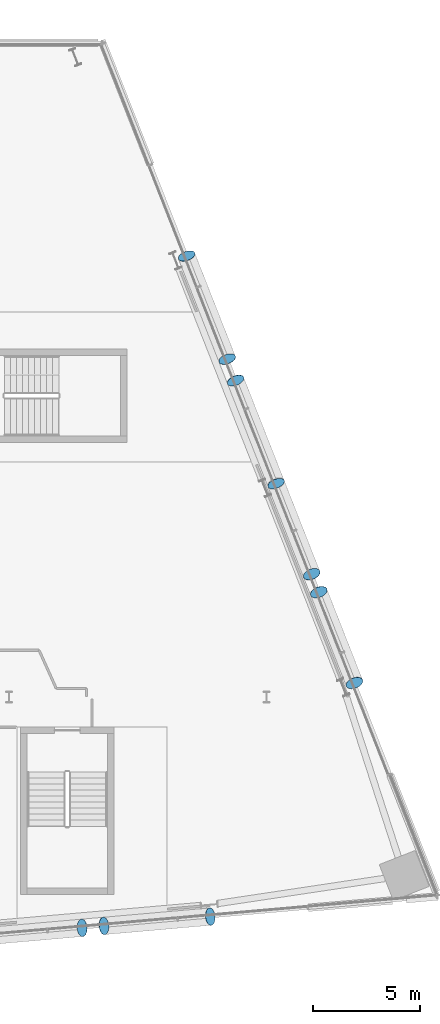
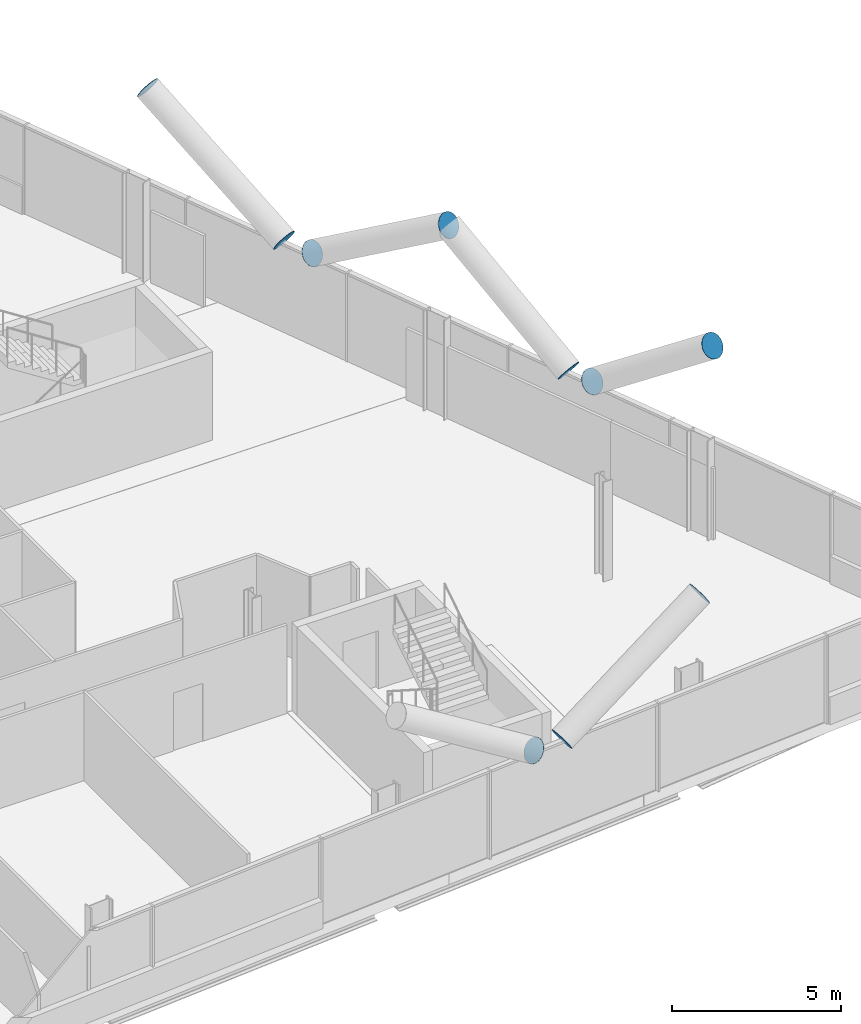
# One storey, part 23 of 27: 10 discrete accessories.
"""IFC4 building model written with IfcOpenShell, lengths in metres."""

from ifc_helpers import new_model, si_unit, direction, frame, origin, origin_2d, place, context, subcontext, project, spatial, circle, extrude, material, material_profile, profile_set, type_object, element, save


model = new_model("IFC4")

# Units and contexts
model_context = context("Model", 3, precision=1e-05, world=origin(), true_north=direction((0.0, 1.0)))
body_context = subcontext(model_context, "Body", "Model", "MODEL_VIEW")
ifc_project = project(units=[si_unit("LENGTHUNIT", "METRE"), si_unit("AREAUNIT", "SQUARE_METRE"), si_unit("VOLUMEUNIT", "CUBIC_METRE"), si_unit("PLANEANGLEUNIT", "RADIAN"), si_unit("MASSUNIT", "GRAM", prefix="KILO")], contexts=[model_context])

# Site, building, storey
site_placement = place(None, origin())
site = spatial("IfcSite", under=ifc_project, at=site_placement, CompositionType="ELEMENT")
building_placement = place(site_placement, origin())
building = spatial("IfcBuilding", under=site, at=building_placement, Name="Wharfspan Tower", CompositionType="ELEMENT")
storey_placement = place(building_placement, frame((0.0, 0.0, 111.100098)))
storey = spatial("IfcBuildingStorey", under=building, at=storey_placement, Name="L25", CompositionType="ELEMENT", Elevation=111.100098)

# Discrete accessories
ifc_material = material(Name="Steel S460NH", Category="steel")
ifc_material_profile = material_profile(ifc_material, circle(Radius=0.406494, at=origin_2d()))
ifc_profile_set = profile_set([ifc_material_profile], Name="Steel S460NH")
discrete_accessory_type = type_object("IfcDiscreteAccessoryType", Name="End plate CHS 813x40", PredefinedType="BRACKET", material=ifc_profile_set)
discrete_accessory_placement = place(storey_placement, frame((76.418457, 0.821777, 3.232178), z_axis=(0.83357, 0.071449, 0.547774), x_axis=(-0.085401, 0.996343, 0.0)))
element("IfcDiscreteAccessory", 1, at=discrete_accessory_placement, inside=storey, type_object=discrete_accessory_type, Name="End plate CHS 813x40", PredefinedType="BRACKET", context=body_context, shape_type="SweptSolid", body=[
    extrude(circle(Radius=0.406494, at=origin_2d()), origin(), (0.0, 0.0, 1.0), 0.010254),
])
for number, where, z_axis, x_axis, name in (
    (2, (81.376221, 1.255371, 6.5), (0.837276, 0.073877, 0.541767), (-0.087893, 0.996132, -1e-06), "End plate CHS 813x40"),
    (3, (75.410156, 0.733398, 3.232178), (-0.827302, -0.048665, 0.559645), (0.058723, -0.998276, 1e-06), "End plate CHS 813x40"),
    (4, (82.171143, 27.249756, 3.236084), (-0.289598, 0.796395, 0.53093), (-0.939792, -0.341743, 1e-06), "End plate CHS 813x40"),
    (5, (80.282471, 32.05542, 6.5), (-0.293294, 0.806559, 0.513265), (-0.939791, -0.341742, 0.0), "End plate CHS 813x40"),
    (6, (82.560303, 26.259521, 3.236084), (0.317451, -0.781418, 0.537225), (0.92647, 0.376377, -2e-06), "End plate CHS 813x40"),
    (7, (84.448975, 21.454102, 6.5), (0.315389, -0.800603, 0.509475), (0.930404, 0.366524, 2e-06), "End plate CHS 813x40"),
    (8, (86.112793, 17.220459, 3.221924), (-0.292683, 0.756098, 0.585366), (-0.932565, -0.360992, -1e-06), "End plate CHS 813x40"),
    (9, (86.439697, 16.388916, 3.221924), (0.292683, -0.756098, 0.585366), (0.932565, 0.360992, -1e-06), "End plate CHS 813x40"),
    (10, (88.103516, 12.155518, 6.5), (0.292683, -0.756098, 0.585366), (0.932565, 0.360992, -1e-06), "End plate CHS 813x40"),
):
    element("IfcDiscreteAccessory", number, at=place(storey_placement, frame(where, z_axis=z_axis, x_axis=x_axis)), inside=storey, type_object=discrete_accessory_type, Name=name, PredefinedType="BRACKET", context=body_context, shape_type="SweptSolid", body=[
        extrude(circle(Radius=0.406494, at=origin_2d()), origin(), (0.0, 0.0, 1.0), 0.01001),
    ])

save(model, "model.ifc")
